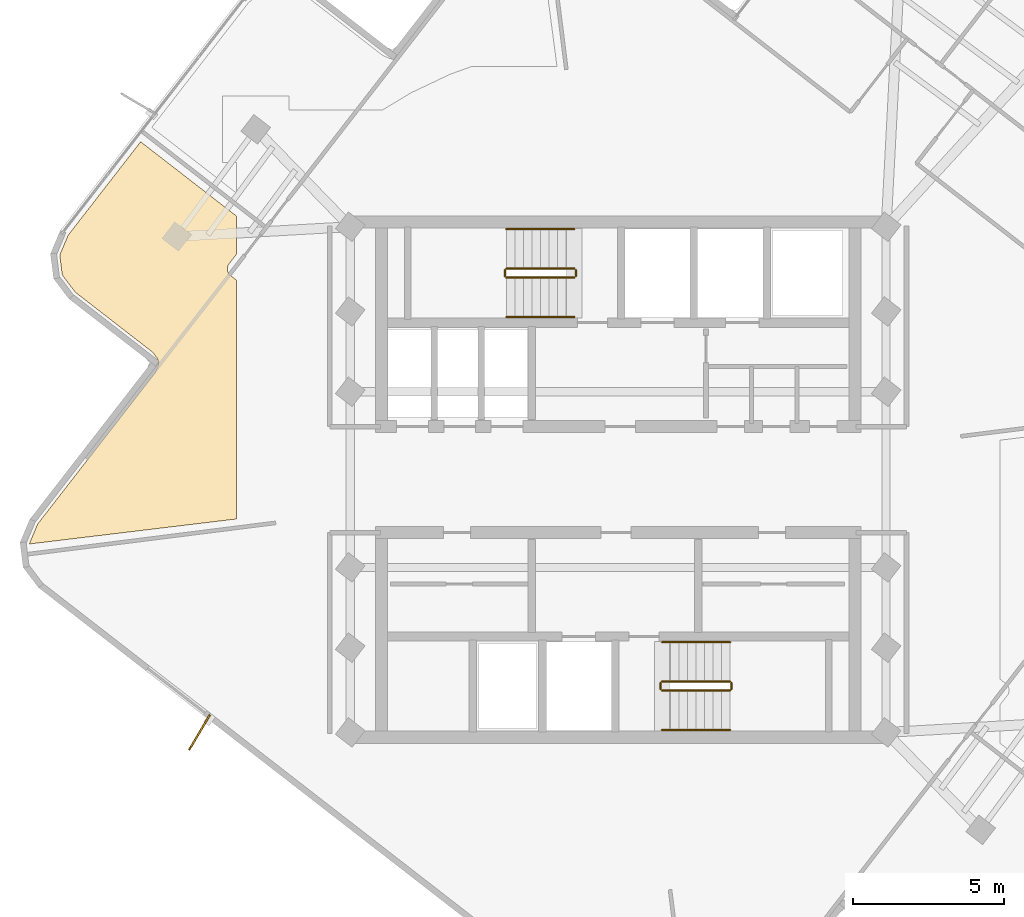
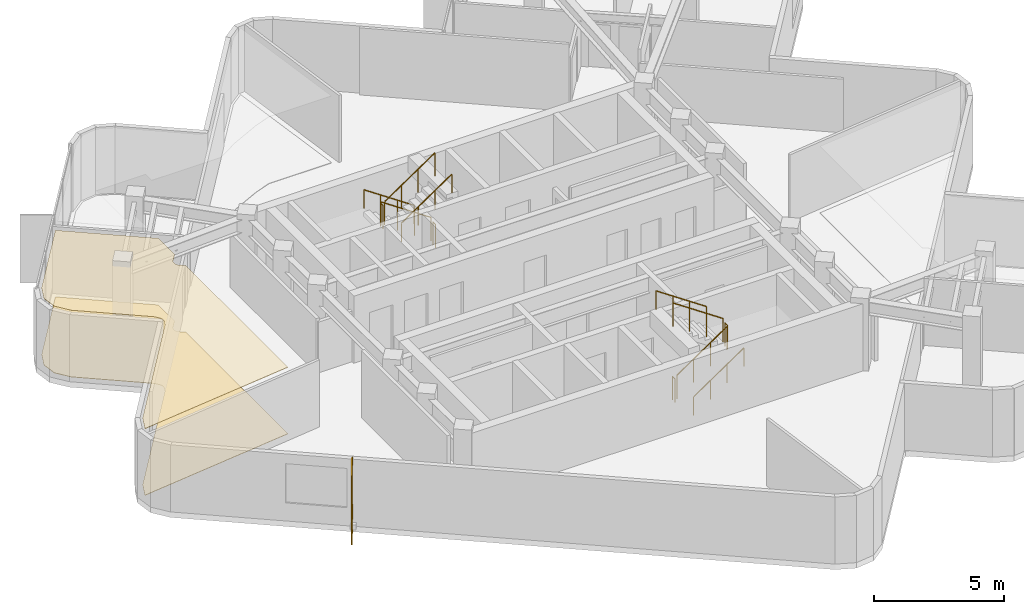
# One storey, part 9 of 10: 12 railings, 2 coverings, 1 shading device.
"""IFC4 building model written with IfcOpenShell, lengths in metres."""

from ifc_helpers import new_model, si_unit, direction, frame, origin, origin_2d, place, context, subcontext, project, spatial, polyline, rectangle, circle, outline, extrude, material, layer, layer_set, type_object, element, save


model = new_model("IFC4")

# Units and contexts
model_context = context("Model", 3, precision=1e-05, world=origin(), true_north=direction((0.0, 1.0)))
body_context = subcontext(model_context, "Body", "Model", "MODEL_VIEW")
ifc_project = project(units=[si_unit("LENGTHUNIT", "METRE"), si_unit("AREAUNIT", "SQUARE_METRE"), si_unit("VOLUMEUNIT", "CUBIC_METRE"), si_unit("PLANEANGLEUNIT", "RADIAN"), si_unit("MASSUNIT", "GRAM", prefix="KILO")], contexts=[model_context])

# Site, building, storey
site_placement = place(None, origin())
site = spatial("IfcSite", under=ifc_project, at=site_placement, CompositionType="ELEMENT")
building_placement = place(site_placement, origin())
building = spatial("IfcBuilding", under=site, at=building_placement, Name="Solmarez Civic Tower", CompositionType="ELEMENT")
storey_placement = place(building_placement, frame((0.0, 0.0, 261.179931640625)))
storey = spatial("IfcBuildingStorey", under=building, at=storey_placement, Name="L70", CompositionType="ELEMENT", Elevation=261.179931640625)

# Coverings
ifc_material_1 = material(Name="Perforated Mineral-Fibre Acoustic Ceiling")
ifc_layer_1 = layer(ifc_material_1, 0.02490234375)
ifc_layer_set_1 = layer_set([ifc_layer_1], Name="Perforated Mineral-Fibre Acoustic Ceiling")
covering_type_1 = type_object("IfcCoveringType", Name="COV-CEIL-ACOUSTIC", PredefinedType="CEILING", material=ifc_layer_set_1)
covering_1_placement = place(storey_placement, frame((0.0, 0.0, 3.135009765625)))
element("IfcCovering", 1, at=covering_1_placement, inside=storey, type_object=covering_type_1, Name="L70 Suspended Acoustic Ceiling 1", PredefinedType="CEILING", context=body_context, shape_type="SweptSolid", body=[
    extrude(outline(polyline([(-15.406982421875, 4.23095703125), (-15.39111328125, 4.218994140625), (-15.3740234375, 4.202880859375), (-15.35693359375, 4.18310546875), (-15.35302734375, 4.178955078125), (-15.346923828125, 4.1708984375), (-15.242919921875, 4.033935546875), (-15.235107421875, 4.02294921875), (-15.23095703125, 4.01708984375), (-15.222900390625, 4.00390625), (-15.218994140625, 3.9970703125), (-15.2080078125, 3.97509765625), (-15.205078125, 3.968017578125), (-15.195068359375, 3.94091796875), (-15.193115234375, 3.93408203125), (-15.19091796875, 3.927001953125), (-15.18701171875, 3.910888671875), (-15.18505859375, 3.89404296875), (-15.18408203125, 3.885986328125), (-15.181884765625, 3.85888671875), (-15.181884765625, 3.843994140625), (-15.18408203125, 3.81689453125), (-15.18701171875, 3.798095703125), (-15.18896484375, 3.791015625), (-15.19091796875, 3.779052734375), (-15.196044921875, 3.760009765625), (-15.202880859375, 3.741943359375), (-15.2060546875, 3.736083984375), (-15.27197265625, 3.577880859375), (-15.278076171875, 3.56494140625), (-15.281005859375, 3.55908203125), (-15.283935546875, 3.552978515625), (-15.298095703125, 3.529052734375), (-15.302001953125, 3.52294921875), (-15.31103515625, 3.510009765625), (-19.172119140625, -1.467041015625), (-19.447021484375, -2.1201171875), (-19.446044921875, -2.126953125), (-12.60009765625, -1.300048828125), (-12.60009765625, 6.5830078125), (-12.804931640625, 6.741943359375), (-12.825927734375, 6.760009765625), (-12.8330078125, 6.76708984375), (-12.84912109375, 6.785888671875), (-12.864013671875, 6.805908203125), (-12.868896484375, 6.81396484375), (-12.883056640625, 6.842041015625), (-12.886962890625, 6.85107421875), (-12.889892578125, 6.85791015625), (-12.89208984375, 6.863037109375), (-12.89892578125, 6.883056640625), (-12.904052734375, 6.903076171875), (-12.906982421875, 6.923095703125), (-12.907958984375, 6.93310546875), (-12.908935546875, 6.9560546875), (-12.907958984375, 6.97900390625), (-12.906982421875, 6.988037109375), (-12.904052734375, 7.007080078125), (-12.903076171875, 7.011962890625), (-12.89599609375, 7.0390625), (-12.89306640625, 7.048095703125), (-12.885009765625, 7.06689453125), (-12.8759765625, 7.0849609375), (-12.87109375, 7.093994140625), (-12.863037109375, 7.10791015625), (-12.85302734375, 7.1220703125), (-12.60009765625, 7.447998046875), (-12.60009765625, 8.697998046875), (-15.77099609375, 11.156982421875), (-18.1669921875, 8.068115234375), (-18.44189453125, 7.4140625), (-18.35791015625, 6.751953125), (-17.929931640625, 6.18798828125), (-15.406982421875, 4.23095703125)])), origin(), (0.0, 0.0, 1.0), 0.025146484375),
])
ifc_material_2 = material(Name="Polished Tropical Stone Terrazzo Flooring", Category="masonry")
ifc_layer_2 = layer(ifc_material_2, 0.02001953125)
ifc_layer_set_2 = layer_set([ifc_layer_2], Name="Polished Tropical Stone Terrazzo Flooring")
covering_type_2 = type_object("IfcCoveringType", Name="COV-FLOOR-TERRAZZO", PredefinedType="FLOORING", material=ifc_layer_set_2)
covering_2_placement = place(storey_placement, origin())
element("IfcCovering", 2, at=covering_2_placement, inside=storey, type_object=covering_type_2, Name="L70 Terrazzo Floor Finish 1", PredefinedType="FLOORING", context=body_context, shape_type="SweptSolid", body=[
    extrude(outline(polyline([(-15.406982421875, 4.23095703125), (-15.39111328125, 4.218994140625), (-15.3740234375, 4.202880859375), (-15.35693359375, 4.18310546875), (-15.35302734375, 4.178955078125), (-15.346923828125, 4.1708984375), (-15.242919921875, 4.033935546875), (-15.235107421875, 4.02294921875), (-15.23095703125, 4.01708984375), (-15.222900390625, 4.00390625), (-15.218994140625, 3.9970703125), (-15.2080078125, 3.97509765625), (-15.205078125, 3.968017578125), (-15.195068359375, 3.94091796875), (-15.193115234375, 3.93408203125), (-15.19091796875, 3.927001953125), (-15.18701171875, 3.910888671875), (-15.18505859375, 3.89404296875), (-15.18408203125, 3.885986328125), (-15.181884765625, 3.85888671875), (-15.181884765625, 3.843994140625), (-15.18408203125, 3.81689453125), (-15.18701171875, 3.798095703125), (-15.18896484375, 3.791015625), (-15.19091796875, 3.779052734375), (-15.196044921875, 3.760009765625), (-15.202880859375, 3.741943359375), (-15.2060546875, 3.736083984375), (-15.27197265625, 3.577880859375), (-15.278076171875, 3.56494140625), (-15.281005859375, 3.55908203125), (-15.283935546875, 3.552978515625), (-15.298095703125, 3.529052734375), (-15.302001953125, 3.52294921875), (-15.31103515625, 3.510009765625), (-19.172119140625, -1.467041015625), (-19.447021484375, -2.1201171875), (-19.446044921875, -2.126953125), (-12.60009765625, -1.300048828125), (-12.60009765625, 6.5830078125), (-12.804931640625, 6.741943359375), (-12.825927734375, 6.760009765625), (-12.8330078125, 6.76708984375), (-12.84912109375, 6.785888671875), (-12.864013671875, 6.805908203125), (-12.868896484375, 6.81396484375), (-12.883056640625, 6.842041015625), (-12.886962890625, 6.85107421875), (-12.889892578125, 6.85791015625), (-12.89208984375, 6.863037109375), (-12.89892578125, 6.883056640625), (-12.904052734375, 6.903076171875), (-12.906982421875, 6.923095703125), (-12.907958984375, 6.93310546875), (-12.908935546875, 6.9560546875), (-12.907958984375, 6.97900390625), (-12.906982421875, 6.988037109375), (-12.904052734375, 7.007080078125), (-12.903076171875, 7.011962890625), (-12.89599609375, 7.0390625), (-12.89306640625, 7.048095703125), (-12.885009765625, 7.06689453125), (-12.8759765625, 7.0849609375), (-12.87109375, 7.093994140625), (-12.863037109375, 7.10791015625), (-12.85302734375, 7.1220703125), (-12.60009765625, 7.447998046875), (-12.60009765625, 8.697998046875), (-15.77099609375, 11.156982421875), (-18.1669921875, 8.068115234375), (-18.44189453125, 7.4140625), (-18.35791015625, 6.751953125), (-17.929931640625, 6.18798828125), (-15.406982421875, 4.23095703125)])), origin(), (0.0, 0.0, 1.0), 0.02001953125),
])

# Shading device
ifc_material_3 = material(Name="Bronze Anodised Aluminium EN AW-6063 T6", Category="aluminium")
ifc_layer_3 = layer(ifc_material_3, 0.054931640625)
ifc_layer_set_3 = layer_set([ifc_layer_3], Name="Bronze Anodised Aluminium EN AW-6063 T6")
shading_device_type = type_object("IfcShadingDeviceType", Name="FIN-BRONZE-Z56", PredefinedType="USERDEFINED", material=ifc_layer_set_3)
shading_device_placement = place(storey_placement, frame((-13.8291015625, -8.35107421875, -0.0400390625), z_axis=(0.0, 0.0, 1.0), x_axis=(-0.511128082469, -0.859504556888, 0.0)))
element("IfcShadingDevice", 3, at=shading_device_placement, inside=storey, type_object=shading_device_type, Name="L70 Anodised Bronze Solar Fin FIN-L70-01", ObjectType="FIN", PredefinedType="USERDEFINED", context=body_context, shape_type="SweptSolid", body=[
    extrude(rectangle(XDim=1.35009765625, YDim=0.054931640625, at=origin_2d()), origin(), (0.0, 0.0, 1.0), 3.199951171875),
])

# Railings
ifc_material_4 = material(Name="Painted Steel Stairwell Safety Guard", Category="steel")
railing_type_1 = type_object("IfcRailingType", Name="GUARD-STAIR-1120", PredefinedType="BALUSTRADE", material=ifc_material_4)
railing_1_placement = place(storey_placement, frame((-1.449951171875, 6.969970703125, 0.190185546875)))
element("IfcRailing", 4, at=railing_1_placement, inside=storey, type_object=railing_type_1, Name="L70 ST-1 stair guard 1", PredefinedType="BALUSTRADE", context=body_context, shape_type="SweptSolid", body=[
    extrude(circle(Radius=0.02392578125, at=origin_2d()), frame((0.0, 0.0, 1.09619140625), z_axis=(-0.827513188522, 0.0, 0.561446277771), x_axis=(0.0, -1.0, 0.0)), (0.0, 0.0, 1.0), 2.706787109375),
    extrude(circle(Radius=0.02099609375, at=origin_2d()), origin(), (0.0, 0.0, 1.0), 1.072021484375),
    extrude(circle(Radius=0.02099609375, at=origin_2d()), frame((-0.74658203125, 0.0, 0.506591796875)), (0.0, 0.0, 1.0), 1.072021484375),
    extrude(circle(Radius=0.02099609375, at=origin_2d()), frame((-1.493408203125, 0.0, 1.01318359375)), (0.0, 0.0, 1.0), 1.072021484375),
    extrude(circle(Radius=0.02099609375, at=origin_2d()), frame((-2.239990234375, 0.0, 1.519775390625)), (0.0, 0.0, 1.0), 1.072021484375),
])
railing_2_placement = place(storey_placement, frame((-3.739990234375, 6.919921875, 1.7099609375)))
element("IfcRailing", 5, at=railing_2_placement, inside=storey, type_object=railing_type_1, Name="L70 ST-1 stair guard 2", PredefinedType="BALUSTRADE", context=body_context, shape_type="SweptSolid", body=[
    extrude(circle(Radius=0.02392578125, at=origin_2d()), frame((0.0, 0.0, 1.09619140625), z_axis=(0.0, -1.0, 0.0), x_axis=(1.0, 0.0, 0.0)), (0.0, 0.0, 1.0), 0.199951171875),
    extrude(circle(Radius=0.02099609375, at=origin_2d()), origin(), (0.0, 0.0, 1.0), 1.072021484375),
    extrude(circle(Radius=0.02099609375, at=origin_2d()), frame((0.0, -0.199951171875, 0.0)), (0.0, 0.0, 1.0), 1.072021484375),
])
railing_3_placement = place(storey_placement, frame((-3.68994140625, 6.669921875, 1.900146484375)))
element("IfcRailing", 6, at=railing_3_placement, inside=storey, type_object=railing_type_1, Name="L70 ST-1 stair guard 3", PredefinedType="BALUSTRADE", context=body_context, shape_type="SweptSolid", body=[
    extrude(circle(Radius=0.02392578125, at=origin_2d()), frame((0.0, 0.0, 1.09619140625), z_axis=(0.827471284677, 0.0, 0.561508034703), x_axis=(0.0, 1.0, 0.0)), (0.0, 0.0, 1.0), 2.70703125),
    extrude(circle(Radius=0.02099609375, at=origin_2d()), origin(), (0.0, 0.0, 1.0), 1.072021484375),
    extrude(circle(Radius=0.02099609375, at=origin_2d()), frame((0.74658203125, 0.0, 0.506591796875)), (0.0, 0.0, 1.0), 1.072021484375),
    extrude(circle(Radius=0.02099609375, at=origin_2d()), frame((1.493408203125, 0.0, 1.013427734375)), (0.0, 0.0, 1.0), 1.072021484375),
    extrude(circle(Radius=0.02099609375, at=origin_2d()), frame((2.239990234375, 0.0, 1.52001953125)), (0.0, 0.0, 1.0), 1.072021484375),
])
railing_4_placement = place(storey_placement, frame((-1.39990234375, 6.919921875, 0.0)))
element("IfcRailing", 7, at=railing_4_placement, inside=storey, type_object=railing_type_1, Name="L70 ST-1 stair guard 4", PredefinedType="BALUSTRADE", context=body_context, shape_type="SweptSolid", body=[
    extrude(circle(Radius=0.02392578125, at=origin_2d()), frame((0.0, 0.0, 1.09619140625), z_axis=(0.0, -1.0, 0.0), x_axis=(1.0, 0.0, 0.0)), (0.0, 0.0, 1.0), 0.199951171875),
    extrude(circle(Radius=0.02099609375, at=origin_2d()), origin(), (0.0, 0.0, 1.0), 1.072021484375),
    extrude(circle(Radius=0.02099609375, at=origin_2d()), frame((0.0, -0.199951171875, 0.0)), (0.0, 0.0, 1.0), 1.072021484375),
])
railing_5_placement = place(storey_placement, frame((1.449951171875, -6.969970703125, 0.190185546875)))
element("IfcRailing", 8, at=railing_5_placement, inside=storey, type_object=railing_type_1, Name="L70 ST-2 stair guard 1", PredefinedType="BALUSTRADE", context=body_context, shape_type="SweptSolid", body=[
    extrude(circle(Radius=0.02392578125, at=origin_2d()), frame((0.0, 0.0, 1.09619140625), z_axis=(0.827513188522, 0.0, 0.561446277771), x_axis=(0.0, 1.0, 0.0)), (0.0, 0.0, 1.0), 2.706787109375),
    extrude(circle(Radius=0.02099609375, at=origin_2d()), origin(), (0.0, 0.0, 1.0), 1.072021484375),
    extrude(circle(Radius=0.02099609375, at=origin_2d()), frame((0.74658203125, 0.0, 0.506591796875)), (0.0, 0.0, 1.0), 1.072021484375),
    extrude(circle(Radius=0.02099609375, at=origin_2d()), frame((1.493408203125, 0.0, 1.01318359375)), (0.0, 0.0, 1.0), 1.072021484375),
    extrude(circle(Radius=0.02099609375, at=origin_2d()), frame((2.239990234375, 0.0, 1.519775390625)), (0.0, 0.0, 1.0), 1.072021484375),
])
railing_6_placement = place(storey_placement, frame((3.739990234375, -6.919921875, 1.7099609375)))
element("IfcRailing", 9, at=railing_6_placement, inside=storey, type_object=railing_type_1, Name="L70 ST-2 stair guard 2", PredefinedType="BALUSTRADE", context=body_context, shape_type="SweptSolid", body=[
    extrude(circle(Radius=0.02392578125, at=origin_2d()), frame((0.0, 0.0, 1.09619140625), z_axis=(0.0, 1.0, 0.0), x_axis=(-1.0, 0.0, 0.0)), (0.0, 0.0, 1.0), 0.199951171875),
    extrude(circle(Radius=0.02099609375, at=origin_2d()), origin(), (0.0, 0.0, 1.0), 1.072021484375),
    extrude(circle(Radius=0.02099609375, at=origin_2d()), frame((0.0, 0.199951171875, 0.0)), (0.0, 0.0, 1.0), 1.072021484375),
])
railing_7_placement = place(storey_placement, frame((3.68994140625, -6.669921875, 1.900146484375)))
element("IfcRailing", 10, at=railing_7_placement, inside=storey, type_object=railing_type_1, Name="L70 ST-2 stair guard 3", PredefinedType="BALUSTRADE", context=body_context, shape_type="SweptSolid", body=[
    extrude(circle(Radius=0.02392578125, at=origin_2d()), frame((0.0, 0.0, 1.09619140625), z_axis=(-0.827471284677, 0.0, 0.561508034703), x_axis=(0.0, -1.0, 0.0)), (0.0, 0.0, 1.0), 2.70703125),
    extrude(circle(Radius=0.02099609375, at=origin_2d()), origin(), (0.0, 0.0, 1.0), 1.072021484375),
    extrude(circle(Radius=0.02099609375, at=origin_2d()), frame((-0.74658203125, 0.0, 0.506591796875)), (0.0, 0.0, 1.0), 1.072021484375),
    extrude(circle(Radius=0.02099609375, at=origin_2d()), frame((-1.493408203125, 0.0, 1.013427734375)), (0.0, 0.0, 1.0), 1.072021484375),
    extrude(circle(Radius=0.02099609375, at=origin_2d()), frame((-2.239990234375, 0.0, 1.52001953125)), (0.0, 0.0, 1.0), 1.072021484375),
])
railing_8_placement = place(storey_placement, frame((1.39990234375, -6.919921875, 0.0)))
element("IfcRailing", 11, at=railing_8_placement, inside=storey, type_object=railing_type_1, Name="L70 ST-2 stair guard 4", PredefinedType="BALUSTRADE", context=body_context, shape_type="SweptSolid", body=[
    extrude(circle(Radius=0.02392578125, at=origin_2d()), frame((0.0, 0.0, 1.09619140625), z_axis=(0.0, 1.0, 0.0), x_axis=(-1.0, 0.0, 0.0)), (0.0, 0.0, 1.0), 0.199951171875),
    extrude(circle(Radius=0.02099609375, at=origin_2d()), origin(), (0.0, 0.0, 1.0), 1.072021484375),
    extrude(circle(Radius=0.02099609375, at=origin_2d()), frame((0.0, 0.199951171875, 0.0)), (0.0, 0.0, 1.0), 1.072021484375),
])
ifc_material_5 = material(Name="Brushed Stainless Steel Tube Handrail", Category="steel")
railing_type_2 = type_object("IfcRailingType", Name="HANDRAIL-STAIR-900", PredefinedType="HANDRAIL", material=ifc_material_5)
railing_9_placement = place(storey_placement, frame((-1.449951171875, 8.27001953125, 0.190185546875)))
element("IfcRailing", 12, at=railing_9_placement, inside=storey, type_object=railing_type_2, Name="L70 ST-1 stair handrail 1", PredefinedType="HANDRAIL", context=body_context, shape_type="SweptSolid", body=[
    extrude(circle(Radius=0.02392578125, at=origin_2d()), frame((0.0, 0.0, 0.8759765625), z_axis=(-0.827513188522, 0.0, 0.561446277771), x_axis=(0.0, -1.0, 0.0)), (0.0, 0.0, 1.0), 2.706787109375),
    extrude(circle(Radius=0.02099609375, at=origin_2d()), origin(), (0.0, 0.0, 1.0), 0.851806640625),
    extrude(circle(Radius=0.02099609375, at=origin_2d()), frame((-0.74658203125, 0.0, 0.506591796875)), (0.0, 0.0, 1.0), 0.851806640625),
    extrude(circle(Radius=0.02099609375, at=origin_2d()), frame((-1.493408203125, 0.0, 1.01318359375)), (0.0, 0.0, 1.0), 0.851806640625),
    extrude(circle(Radius=0.02099609375, at=origin_2d()), frame((-2.239990234375, 0.0, 1.519775390625)), (0.0, 0.0, 1.0), 0.851806640625),
])
railing_10_placement = place(storey_placement, frame((-3.68994140625, 5.3701171875, 1.900146484375)))
element("IfcRailing", 13, at=railing_10_placement, inside=storey, type_object=railing_type_2, Name="L70 ST-1 stair handrail 2", PredefinedType="HANDRAIL", context=body_context, shape_type="SweptSolid", body=[
    extrude(circle(Radius=0.02392578125, at=origin_2d()), frame((0.0, 0.0, 0.8759765625), z_axis=(0.827471284677, 0.0, 0.561508034703), x_axis=(0.0, 1.0, 0.0)), (0.0, 0.0, 1.0), 2.70703125),
    extrude(circle(Radius=0.02099609375, at=origin_2d()), origin(), (0.0, 0.0, 1.0), 0.851806640625),
    extrude(circle(Radius=0.02099609375, at=origin_2d()), frame((0.74658203125, 0.0, 0.506591796875)), (0.0, 0.0, 1.0), 0.851806640625),
    extrude(circle(Radius=0.02099609375, at=origin_2d()), frame((1.493408203125, 0.0, 1.013427734375)), (0.0, 0.0, 1.0), 0.851806640625),
    extrude(circle(Radius=0.02099609375, at=origin_2d()), frame((2.239990234375, 0.0, 1.52001953125)), (0.0, 0.0, 1.0), 0.851806640625),
])
railing_11_placement = place(storey_placement, frame((1.449951171875, -8.27001953125, 0.190185546875)))
element("IfcRailing", 14, at=railing_11_placement, inside=storey, type_object=railing_type_2, Name="L70 ST-2 stair handrail 1", PredefinedType="HANDRAIL", context=body_context, shape_type="SweptSolid", body=[
    extrude(circle(Radius=0.02392578125, at=origin_2d()), frame((0.0, 0.0, 0.8759765625), z_axis=(0.827513188522, 0.0, 0.561446277771), x_axis=(0.0, 1.0, 0.0)), (0.0, 0.0, 1.0), 2.706787109375),
    extrude(circle(Radius=0.02099609375, at=origin_2d()), origin(), (0.0, 0.0, 1.0), 0.851806640625),
    extrude(circle(Radius=0.02099609375, at=origin_2d()), frame((0.74658203125, 0.0, 0.506591796875)), (0.0, 0.0, 1.0), 0.851806640625),
    extrude(circle(Radius=0.02099609375, at=origin_2d()), frame((1.493408203125, 0.0, 1.01318359375)), (0.0, 0.0, 1.0), 0.851806640625),
    extrude(circle(Radius=0.02099609375, at=origin_2d()), frame((2.239990234375, 0.0, 1.519775390625)), (0.0, 0.0, 1.0), 0.851806640625),
])
railing_12_placement = place(storey_placement, frame((3.68994140625, -5.3701171875, 1.900146484375)))
element("IfcRailing", 15, at=railing_12_placement, inside=storey, type_object=railing_type_2, Name="L70 ST-2 stair handrail 2", PredefinedType="HANDRAIL", context=body_context, shape_type="SweptSolid", body=[
    extrude(circle(Radius=0.02392578125, at=origin_2d()), frame((0.0, 0.0, 0.8759765625), z_axis=(-0.827471284677, 0.0, 0.561508034703), x_axis=(0.0, -1.0, 0.0)), (0.0, 0.0, 1.0), 2.70703125),
    extrude(circle(Radius=0.02099609375, at=origin_2d()), origin(), (0.0, 0.0, 1.0), 0.851806640625),
    extrude(circle(Radius=0.02099609375, at=origin_2d()), frame((-0.74658203125, 0.0, 0.506591796875)), (0.0, 0.0, 1.0), 0.851806640625),
    extrude(circle(Radius=0.02099609375, at=origin_2d()), frame((-1.493408203125, 0.0, 1.013427734375)), (0.0, 0.0, 1.0), 0.851806640625),
    extrude(circle(Radius=0.02099609375, at=origin_2d()), frame((-2.239990234375, 0.0, 1.52001953125)), (0.0, 0.0, 1.0), 0.851806640625),
])

save(model, "model.ifc")
